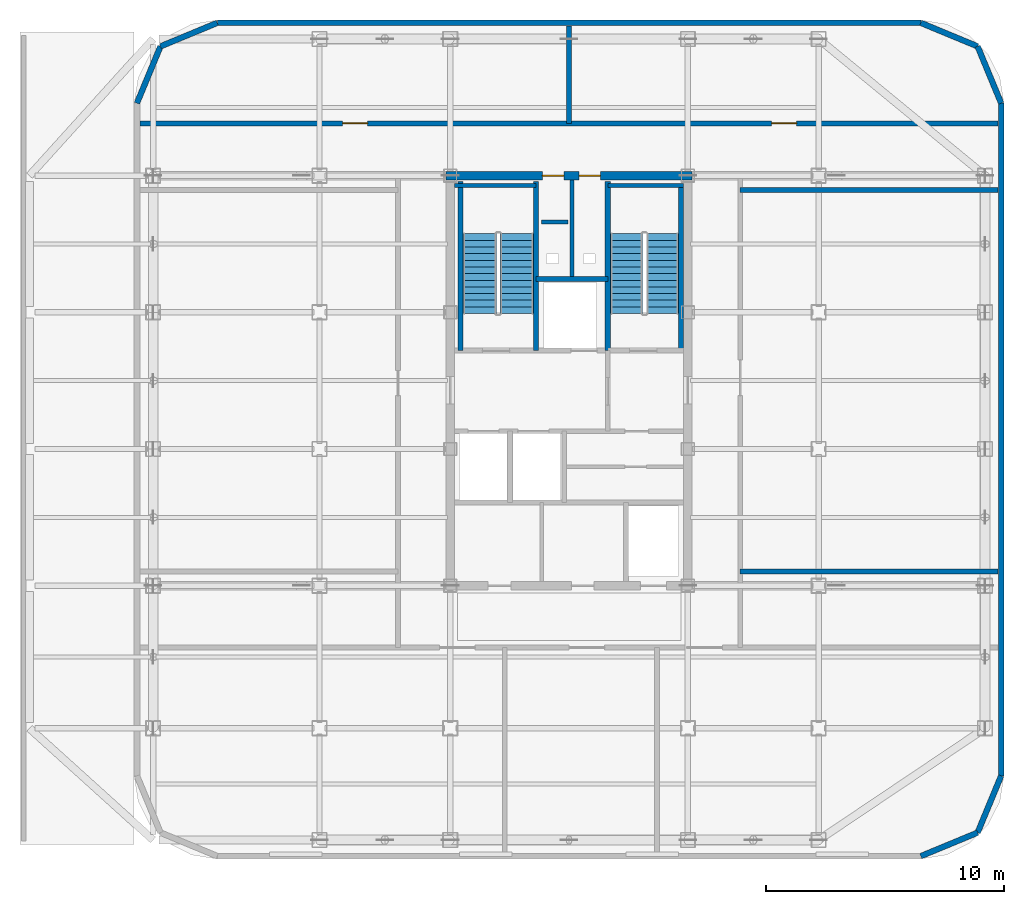
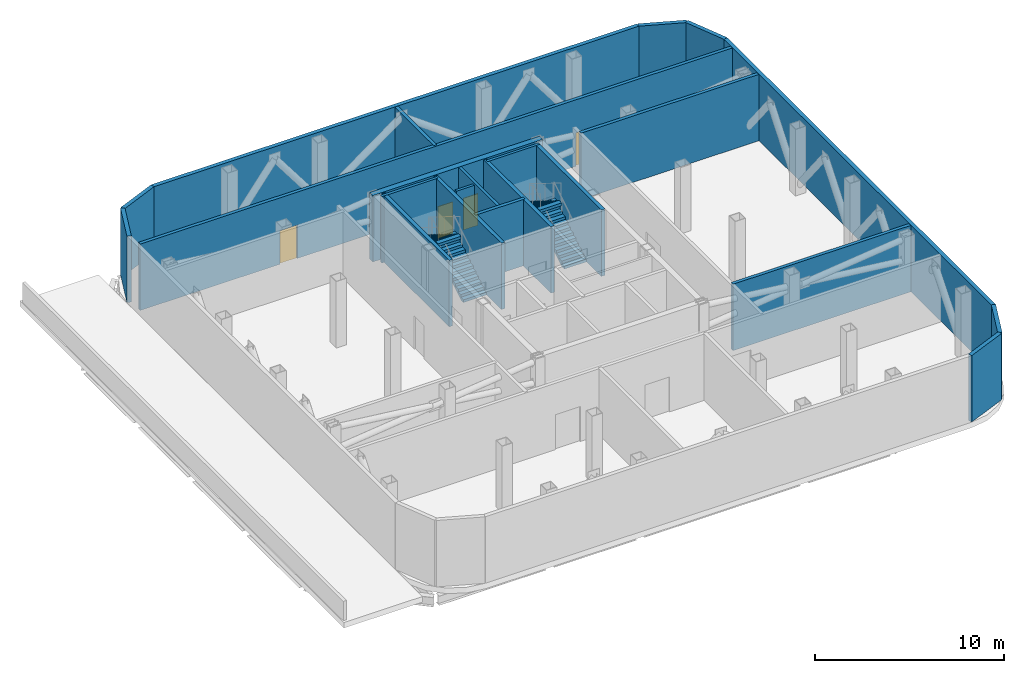
# One storey, part 6 of 7: 22 walls, 4 doors, 4 stair flights, 4 openings, 2 elements without a shape of their own.
"""IFC4 building model written with IfcOpenShell, lengths in metres."""

from ifc_helpers import new_model, si_unit, direction, frame, frame_2d, origin, place, context, subcontext, project, spatial, polyline, rectangle, outline, extrude, material, layer, layer_set, type_object, element, fill, aggregate, save


model = new_model("IFC4")

# Units and contexts
model_context = context("Model", 3, precision=1e-05, world=origin(), true_north=direction((0.0, 1.0)))
body_context = subcontext(model_context, "Body", "Model", "MODEL_VIEW")
ifc_project = project(units=[si_unit("LENGTHUNIT", "METRE"), si_unit("AREAUNIT", "SQUARE_METRE"), si_unit("VOLUMEUNIT", "CUBIC_METRE"), si_unit("PLANEANGLEUNIT", "RADIAN"), si_unit("MASSUNIT", "GRAM", prefix="KILO")], contexts=[model_context])

# Site, building, storey
site_placement = place(None, origin())
site = spatial("IfcSite", under=ifc_project, at=site_placement, CompositionType="ELEMENT")
building_placement = place(site_placement, origin())
building = spatial("IfcBuilding", under=site, at=building_placement, Name="Kolveth Station Tower", CompositionType="ELEMENT")
storey_placement = place(building_placement, frame((0.0, 0.0, 215.60009765625)))
storey = spatial("IfcBuildingStorey", under=building, at=storey_placement, Name="L61", CompositionType="ELEMENT", Elevation=215.60009765625)

# Wall, openings, doors
ifc_material_1 = material(Name="Concrete C50/60", Category="concrete")
ifc_layer_1 = layer(ifc_material_1, 0.35009765625)
ifc_layer_set_1 = layer_set([ifc_layer_1], Name="Concrete C50/60")
wall_type_1 = type_object("IfcWallType", Name="Wall_CW-350", PredefinedType="SHEAR", material=ifc_layer_set_1)
wall_1_placement = place(storey_placement, frame((18.324951171875, 28.75, 0.0), z_axis=(0.0, 0.0, 1.0), x_axis=(1.0, 0.0, 0.0)))
wall_1 = element("IfcWall", 1, at=wall_1_placement, inside=storey, type_object=wall_type_1, Name="L61 Core RC Shear Wall N", PredefinedType="SHEAR", context=body_context, shape_type="SweptSolid", body=[
    extrude(rectangle(XDim=10.35009765625, YDim=0.35009765625, at=frame_2d((5.175048828125, 0.0))), origin(), (0.0, 0.0, 1.0), 4.27978515625),
])
opening_1_placement = place(wall_1_placement, frame((4.054931640625, 0.0, 0.0)))
opening_1 = element("IfcOpeningElement", 2, at=opening_1_placement, cuts=wall_1, Name="Opening RD1", PredefinedType="OPENING", context=body_context, shape_type="SweptSolid", body=[
    extrude(rectangle(XDim=0.89990234375, YDim=2.050048828125, at=frame_2d((0.449951171875, 1.02490234375))), frame((0.0, 0.18505859375, 0.0), z_axis=(0.0, -1.0, 0.0), x_axis=(1.0, 0.0, 0.0)), (0.0, 0.0, 1.0), 0.3701171875),
])
opening_2_placement = place(wall_1_placement, frame((5.594970703125, 0.0, 0.0)))
opening_2 = element("IfcOpeningElement", 3, at=opening_2_placement, cuts=wall_1, Name="Opening RD1", PredefinedType="OPENING", context=body_context, shape_type="SweptSolid", body=[
    extrude(rectangle(XDim=0.89990234375, YDim=2.050048828125, at=frame_2d((0.449951171875, 1.02490234375))), frame((0.0, 0.18505859375, 0.0), z_axis=(0.0, -1.0, 0.0), x_axis=(1.0, 0.0, 0.0)), (0.0, 0.0, 1.0), 0.3701171875),
])
ifc_material_2 = material(Name="Fire-rated Steel S355 riser access leaf", Category="steel")
door_type_1 = type_object("IfcDoorType", Name="Door_RD1", OperationType="NOTDEFINED", PredefinedType="DOOR", material=ifc_material_2)
door_1_placement = place(opening_1_placement, origin())
door_1 = element("IfcDoor", 4, at=door_1_placement, inside=storey, type_object=door_type_1, Name="L61 Electrical Riser Access Door", OperationType="SINGLE_SWING_LEFT", OverallHeight=2.050048828125, OverallWidth=0.89990234375, PredefinedType="DOOR", context=body_context, shape_type="SweptSolid", body=[
    extrude(rectangle(XDim=0.89990234375, YDim=2.050048828125, at=frame_2d((0.449951171875, 1.02490234375))), frame((0.0, 0.02490234375, 0.0), z_axis=(0.0, -1.0, 0.0), x_axis=(1.0, 0.0, 0.0)), (0.0, 0.0, 1.0), 0.050048828125),
])
fill(opening_1, door_1)
door_2_placement = place(opening_2_placement, origin())
door_2 = element("IfcDoor", 5, at=door_2_placement, inside=storey, type_object=door_type_1, Name="L61 Smoke Duct Access Door", OperationType="SINGLE_SWING_LEFT", OverallHeight=2.050048828125, OverallWidth=0.89990234375, PredefinedType="DOOR", context=body_context, shape_type="SweptSolid", body=[
    extrude(rectangle(XDim=0.89990234375, YDim=2.050048828125, at=frame_2d((0.449951171875, 1.02490234375))), frame((0.0, 0.02490234375, 0.0), z_axis=(0.0, -1.0, 0.0), x_axis=(1.0, 0.0, 0.0)), (0.0, 0.0, 1.0), 0.050048828125),
])
fill(opening_2, door_2)

# Walls
ifc_material_3 = material(Name="Precast concrete C40/50", Category="concrete")
ifc_layer_2 = layer(ifc_material_3, 0.239990234375)
ifc_layer_set_2 = layer_set([ifc_layer_2], Name="Precast concrete C40/50")
wall_type_2 = type_object("IfcWallType", Name="Wall_EW-240", PredefinedType="SOLIDWALL", material=ifc_layer_set_2)
for number, where, z_axis, x_axis, name in (
    (6, (38.300048828125, 0.1201171875, 0.0), (0.0, 0.0, 1.0), (0.923870741917, 0.382704654048, 0.0), "L61 Plant Perimeter Spandrel Wall 1"),
    (7, (40.68994140625, 1.110107421875, 0.0), (0.0, 0.0, 1.0), (0.382704654048, 0.923870741917, 0.0), "L61 Plant Perimeter Spandrel Wall 2"),
):
    element("IfcWall", number, at=place(storey_placement, frame(where, z_axis=z_axis, x_axis=x_axis)), inside=storey, type_object=wall_type_2, Name=name, PredefinedType="SOLIDWALL", context=body_context, shape_type="SweptSolid", body=[
        extrude(rectangle(XDim=2.5869140625, YDim=0.239990234375, at=frame_2d((1.29345703125, 0.0))), origin(), (0.0, 0.0, 1.0), 4.27978515625),
    ])
wall_2_placement = place(storey_placement, frame((41.679931640625, 3.5, 0.0), z_axis=(0.0, 0.0, 1.0), x_axis=(0.0, 1.0, 0.0)))
element("IfcWall", 8, at=wall_2_placement, inside=storey, type_object=wall_type_2, Name="L61 Plant Perimeter Spandrel Wall 3", PredefinedType="SOLIDWALL", context=body_context, shape_type="SweptSolid", body=[
    extrude(rectangle(XDim=28.300048828125, YDim=0.239990234375, at=frame_2d((14.14990234375, 0.0))), origin(), (0.0, 0.0, 1.0), 4.27978515625),
])
for number, where, z_axis, x_axis, name in (
    (9, (41.679931640625, 31.800048828125, 0.0), (0.0, 0.0, 1.0), (-0.382704654048, 0.923870741917, 0.0), "L61 Plant Perimeter Spandrel Wall 4"),
    (10, (40.68994140625, 34.18994140625, 0.0), (0.0, 0.0, 1.0), (-0.923870741917, 0.382704654048, 0.0), "L61 Plant Perimeter Spandrel Wall 5"),
):
    element("IfcWall", number, at=place(storey_placement, frame(where, z_axis=z_axis, x_axis=x_axis)), inside=storey, type_object=wall_type_2, Name=name, PredefinedType="SOLIDWALL", context=body_context, shape_type="SweptSolid", body=[
        extrude(rectangle(XDim=2.5869140625, YDim=0.239990234375, at=frame_2d((1.29345703125, 0.0))), origin(), (0.0, 0.0, 1.0), 4.27978515625),
    ])
wall_3_placement = place(storey_placement, frame((38.300048828125, 35.179931640625, 0.0), z_axis=(0.0, 0.0, 1.0), x_axis=(-1.0, 0.0, 0.0)))
element("IfcWall", 11, at=wall_3_placement, inside=storey, type_object=wall_type_2, Name="L61 Plant Perimeter Spandrel Wall 6", PredefinedType="SOLIDWALL", context=body_context, shape_type="SweptSolid", body=[
    extrude(rectangle(XDim=29.60009765625, YDim=0.239990234375, at=frame_2d((14.800048828125, 0.0))), origin(), (0.0, 0.0, 1.0), 4.27978515625),
])
for number, where, z_axis, x_axis, name in (
    (12, (8.699951171875, 35.179931640625, 0.0), (0.0, 0.0, 1.0), (-0.923870741917, -0.382704654048, 0.0), "L61 Plant Perimeter Spandrel Wall 7"),
    (13, (6.31005859375, 34.18994140625, 0.0), (0.0, 0.0, 1.0), (-0.382704654048, -0.923870741917, 0.0), "L61 Plant Perimeter Spandrel Wall 8"),
):
    element("IfcWall", number, at=place(storey_placement, frame(where, z_axis=z_axis, x_axis=x_axis)), inside=storey, type_object=wall_type_2, Name=name, PredefinedType="SOLIDWALL", context=body_context, shape_type="SweptSolid", body=[
        extrude(rectangle(XDim=2.5869140625, YDim=0.239990234375, at=frame_2d((1.29345703125, 0.0))), origin(), (0.0, 0.0, 1.0), 4.27978515625),
    ])
ifc_material_4 = material(Name="Acoustic double-stud gypsum partition")
ifc_layer_3 = layer(ifc_material_4, 0.1650390625)
ifc_layer_set_3 = layer_set([ifc_layer_3], Name="Acoustic double-stud gypsum partition")
wall_type_3 = type_object("IfcWallType", Name="Wall_IW-165", PredefinedType="PARTITIONING", material=ifc_layer_set_3)
wall_4_placement = place(storey_placement, frame((18.68505859375, 28.3349609375, 0.0), z_axis=(0.0, 0.0, 1.0), x_axis=(1.0, 0.0, 0.0)))
element("IfcWall", 14, at=wall_4_placement, inside=storey, type_object=wall_type_3, Name="L61 Stair Shaft Wall WL-L61-ST1-N", PredefinedType="PARTITIONING", context=body_context, shape_type="SweptSolid", body=[
    extrude(rectangle(XDim=3.425048828125, YDim=0.1650390625, at=frame_2d((1.71240234375, 0.0))), origin(), (0.0, 0.0, 1.0), 4.27978515625),
])
wall_5_placement = place(storey_placement, frame((25.1298828125, 28.3349609375, 0.0), z_axis=(0.0, 0.0, 1.0), x_axis=(1.0, 0.0, 0.0)))
element("IfcWall", 15, at=wall_5_placement, inside=storey, type_object=wall_type_3, Name="L61 Stair Shaft Wall WL-L61-ST2-N", PredefinedType="PARTITIONING", context=body_context, shape_type="SweptSolid", body=[
    extrude(rectangle(XDim=3.18505859375, YDim=0.1650390625, at=frame_2d((1.592529296875, 0.0))), origin(), (0.0, 0.0, 1.0), 4.27978515625),
])
wall_6_placement = place(storey_placement, frame((23.6201171875, 24.39990234375, 0.0), z_axis=(0.0, 0.0, 1.0), x_axis=(0.0, 1.0, 0.0)))
element("IfcWall", 16, at=wall_6_placement, inside=storey, type_object=wall_type_3, Name="L61 Partition Wall WL-L61-RSR-M", PredefinedType="PARTITIONING", context=body_context, shape_type="SweptSolid", body=[
    extrude(rectangle(XDim=4.1650390625, YDim=0.1650390625, at=frame_2d((2.08251953125, 0.0))), origin(), (0.0, 0.0, 1.0), 4.27978515625),
])
wall_7_placement = place(storey_placement, frame((22.35009765625, 26.800048828125, 0.0), z_axis=(0.0, 0.0, 1.0), x_axis=(1.0, 0.0, 0.0)))
element("IfcWall", 17, at=wall_7_placement, inside=storey, type_object=wall_type_3, Name="L61 Acoustic Riser Dry-Lining Wall", PredefinedType="PARTITIONING", context=body_context, shape_type="SweptSolid", body=[
    extrude(rectangle(XDim=1.099853515625, YDim=0.1650390625, at=frame_2d((0.5498046875, 0.0))), origin(), (0.0, 0.0, 1.0), 4.27978515625),
])
ifc_material_5 = material(Name="Acoustic fire-rated gypsum blockwork", Category="masonry")
ifc_layer_4 = layer(ifc_material_5, 0.199951171875)
ifc_layer_set_4 = layer_set([ifc_layer_4], Name="Acoustic fire-rated gypsum blockwork")
wall_type_4 = type_object("IfcWallType", Name="Wall_IW-200", PredefinedType="PARTITIONING", material=ifc_layer_set_4)
wall_8_placement = place(storey_placement, frame((22.110107421875, 24.39990234375, 0.0), z_axis=(0.0, 0.0, 1.0), x_axis=(1.0, 0.0, 0.0)))
element("IfcWall", 18, at=wall_8_placement, inside=storey, type_object=wall_type_4, Name="L61 Partition Wall WL-L61-RSR-S", PredefinedType="PARTITIONING", context=body_context, shape_type="SweptSolid", body=[
    extrude(rectangle(XDim=3.019775390625, YDim=0.199951171875, at=frame_2d((1.509765625, 0.0))), origin(), (0.0, 0.0, 1.0), 4.27978515625),
])

# Wall, openings, doors
wall_9_placement = place(storey_placement, frame((5.449951171875, 30.949951171875, 0.0), z_axis=(0.0, 0.0, 1.0), x_axis=(1.0, 0.0, 0.0)))
wall_9 = element("IfcWall", 19, at=wall_9_placement, inside=storey, type_object=wall_type_4, Name="L61 Partition Wall WL-L61-PR-N", PredefinedType="PARTITIONING", context=body_context, shape_type="SweptSolid", body=[
    extrude(rectangle(XDim=36.10009765625, YDim=0.199951171875, at=frame_2d((18.050048828125, 0.0))), origin(), (0.0, 0.0, 1.0), 4.27978515625),
])
opening_3_placement = place(wall_9_placement, frame((8.52490234375, 0.0, 0.0)))
opening_3 = element("IfcOpeningElement", 20, at=opening_3_placement, cuts=wall_9, Name="Opening FD2", PredefinedType="OPENING", context=body_context, shape_type="SweptSolid", body=[
    extrude(rectangle(XDim=1.050048828125, YDim=2.14990234375, at=frame_2d((0.52490234375, 1.074951171875))), frame((0.0, 0.10986328125, 0.0), z_axis=(0.0, -1.0, 0.0), x_axis=(1.0, 0.0, 0.0)), (0.0, 0.0, 1.0), 0.219970703125),
])
opening_4_placement = place(wall_9_placement, frame((26.574951171875, 0.0, 0.0)))
opening_4 = element("IfcOpeningElement", 21, at=opening_4_placement, cuts=wall_9, Name="Opening FD2", PredefinedType="OPENING", context=body_context, shape_type="SweptSolid", body=[
    extrude(rectangle(XDim=1.050048828125, YDim=2.14990234375, at=frame_2d((0.52490234375, 1.074951171875))), frame((0.0, 0.10986328125, 0.0), z_axis=(0.0, -1.0, 0.0), x_axis=(1.0, 0.0, 0.0)), (0.0, 0.0, 1.0), 0.219970703125),
])
ifc_material_6 = material(Name="Fire-rated Steel S355 leaf and frame", Category="steel")
door_type_2 = type_object("IfcDoorType", Name="Door_FD2", OperationType="NOTDEFINED", PredefinedType="DOOR", material=ifc_material_6)
door_3_placement = place(opening_3_placement, origin())
door_3 = element("IfcDoor", 22, at=door_3_placement, inside=storey, type_object=door_type_2, Name="L61 Smoke Extract Fan Plant Room Door", OperationType="SINGLE_SWING_RIGHT", OverallHeight=2.14990234375, OverallWidth=1.050048828125, PredefinedType="DOOR", context=body_context, shape_type="SweptSolid", body=[
    extrude(rectangle(XDim=1.050048828125, YDim=2.14990234375, at=frame_2d((0.52490234375, 1.074951171875))), frame((0.0, 0.02490234375, 0.0), z_axis=(0.0, -1.0, 0.0), x_axis=(1.0, 0.0, 0.0)), (0.0, 0.0, 1.0), 0.050048828125),
])
fill(opening_3, door_3)
door_4_placement = place(opening_4_placement, origin())
door_4 = element("IfcDoor", 23, at=door_4_placement, inside=storey, type_object=door_type_2, Name="L61 Air Handling Plant Room Door", OperationType="SINGLE_SWING_LEFT", OverallHeight=2.14990234375, OverallWidth=1.050048828125, PredefinedType="DOOR", context=body_context, shape_type="SweptSolid", body=[
    extrude(rectangle(XDim=1.050048828125, YDim=2.14990234375, at=frame_2d((0.52490234375, 1.074951171875))), frame((0.0, 0.02490234375, 0.0), z_axis=(0.0, -1.0, 0.0), x_axis=(1.0, 0.0, 0.0)), (0.0, 0.0, 1.0), 0.050048828125),
])
fill(opening_4, door_4)

# Walls
wall_10_placement = place(storey_placement, frame((23.5, 30.949951171875, 0.0), z_axis=(0.0, 0.0, 1.0), x_axis=(0.0, 1.0, 0.0)))
element("IfcWall", 24, at=wall_10_placement, inside=storey, type_object=wall_type_4, Name="L61 Partition Wall WL-L61-PN-P1", PredefinedType="PARTITIONING", context=body_context, shape_type="SweptSolid", body=[
    extrude(rectangle(XDim=4.10009765625, YDim=0.199951171875, at=frame_2d((2.050048828125, 0.0))), origin(), (0.0, 0.0, 1.0), 4.27978515625),
])
for number, where, z_axis, x_axis, name in (
    (25, (30.699951171875, 12.10009765625, 0.0), (0.0, 0.0, 1.0), (1.0, 0.0, 0.0), "L61 Partition Wall WL-L61-OG-ES"),
    (26, (30.699951171875, 28.14990234375, 0.0), (0.0, 0.0, 1.0), (1.0, 0.0, 0.0), "L61 Partition Wall WL-L61-OG-EN"),
):
    element("IfcWall", number, at=place(storey_placement, frame(where, z_axis=z_axis, x_axis=x_axis)), inside=storey, type_object=wall_type_4, Name=name, PredefinedType="PARTITIONING", context=body_context, shape_type="SweptSolid", body=[
        extrude(rectangle(XDim=10.85009765625, YDim=0.199951171875, at=frame_2d((5.425048828125, 0.0))), origin(), (0.0, 0.0, 1.0), 4.27978515625),
    ])
ifc_material_7 = material(Name="Concrete C40/50", Category="concrete")
ifc_layer_5 = layer(ifc_material_7, 0.219970703125)
ifc_layer_set_5 = layer_set([ifc_layer_5], Name="Concrete C40/50")
wall_type_5 = type_object("IfcWallType", Name="Wall_IW-220", PredefinedType="SOLIDWALL", material=ifc_layer_set_5)
for number, where, z_axis, x_axis, name in (
    (27, (18.929931640625, 21.389892578125, 0.0), (0.0, 0.0, 1.0), (0.0, 1.0, 0.0), "L61 Stair Shaft Wall WL-L61-ST1-W"),
    (28, (22.110107421875, 21.389892578125, 0.0), (0.0, 0.0, 1.0), (0.0, 1.0, 0.0), "L61 Stair Shaft Wall WL-L61-ST1-E"),
    (29, (25.1298828125, 21.389892578125, 0.0), (0.0, 0.0, 1.0), (0.0, 1.0, 0.0), "L61 Stair Shaft Wall WL-L61-ST2-W"),
):
    element("IfcWall", number, at=place(storey_placement, frame(where, z_axis=z_axis, x_axis=x_axis)), inside=storey, type_object=wall_type_5, Name=name, PredefinedType="SOLIDWALL", context=body_context, shape_type="SweptSolid", body=[
        extrude(rectangle(XDim=7.110107421875, YDim=0.219970703125, at=frame_2d((3.55517578125, 0.0))), origin(), (0.0, 0.0, 1.0), 4.27978515625),
    ])
wall_11_placement = place(storey_placement, frame((28.2099609375, 21.389892578125, 0.0), z_axis=(0.0, 0.0, 1.0), x_axis=(0.0, 1.0, 0.0)))
element("IfcWall", 30, at=wall_11_placement, inside=storey, type_object=wall_type_5, Name="L61 Stair Shaft Wall WL-L61-ST2-E", PredefinedType="SOLIDWALL", context=body_context, shape_type="SweptSolid", body=[
    extrude(rectangle(XDim=6.945068359375, YDim=0.219970703125, at=frame_2d((3.47265625, 0.0))), origin(), (0.0, 0.0, 1.0), 4.27978515625),
])

# Stair, stair flights
stair_type_1 = type_object("IfcStairType", Name="Stair_ST1", PredefinedType="HALF_TURN_STAIR", material=ifc_material_7)
stair_1_placement = place(storey_placement, origin())
stair_1 = element("IfcStair", 31, at=stair_1_placement, inside=storey, type_object=stair_type_1, Name="L61 Tower Exit Stair ST1", PredefinedType="HALF_TURN_STAIR")
ifc_layer_6 = layer(ifc_material_7, 0.179931640625)
ifc_layer_set_6 = layer_set([ifc_layer_6], Name="Concrete C40/50")
stair_flight_type_1 = type_object("IfcStairFlightType", Name="Flight_ST1", PredefinedType="STRAIGHT", material=ifc_layer_set_6)
stair_flight_1_placement = place(storey_placement, frame((21.300048828125, 22.949951171875, 0.0), z_axis=(0.0, 0.0, 1.0), x_axis=(0.0, 1.0, 0.0)))
stair_flight_1 = element("IfcStairFlight", 32, at=stair_flight_1_placement, type_object=stair_flight_type_1, Name="ST1 flight 1", NumberOfRisers=13, NumberOfTreads=12, PredefinedType="STRAIGHT", RiserHeight=0.173076923, TreadLength=0.28, context=body_context, shape_type="SweptSolid", body=[
    extrude(outline(polyline([(0.0, 0.0), (0.0, 0.173095703125), (0.280029296875, 0.173095703125), (0.280029296875, 0.34619140625), (0.56005859375, 0.34619140625), (0.56005859375, 0.519287109375), (0.840087890625, 0.519287109375), (0.840087890625, 0.6923828125), (1.1201171875, 0.6923828125), (1.1201171875, 0.865478515625), (1.39990234375, 0.865478515625), (1.39990234375, 1.03857421875), (1.679931640625, 1.03857421875), (1.679931640625, 1.21142578125), (1.9599609375, 1.21142578125), (1.9599609375, 1.384521484375), (2.239990234375, 1.384521484375), (2.239990234375, 1.5576171875), (2.52001953125, 1.5576171875), (2.52001953125, 1.730712890625), (2.800048828125, 1.730712890625), (2.800048828125, 1.90380859375), (3.080078125, 1.90380859375), (3.080078125, 2.076904296875), (3.360107421875, 2.076904296875), (3.360107421875, 2.25), (3.360107421875, 1.900634765625), (0.28515625, 0.0), (0.0, 0.0)])), frame((0.0, 0.699951171875, 0.0), z_axis=(0.0, -1.0, 0.0), x_axis=(1.0, 0.0, 0.0)), (0.0, 0.0, 1.0), 1.39990234375),
])
stair_flight_2_placement = place(storey_placement, frame((19.739990234375, 26.31005859375, 2.25), z_axis=(0.0, 0.0, 1.0), x_axis=(0.0, -1.0, 0.0)))
stair_flight_2 = element("IfcStairFlight", 33, at=stair_flight_2_placement, type_object=stair_flight_type_1, Name="ST1 flight 2", NumberOfRisers=13, NumberOfTreads=12, PredefinedType="STRAIGHT", RiserHeight=0.173076923, TreadLength=0.28, context=body_context, shape_type="SweptSolid", body=[
    extrude(outline(polyline([(0.0, 0.0), (0.0, 0.173095703125), (0.280029296875, 0.173095703125), (0.280029296875, 0.34619140625), (0.56005859375, 0.34619140625), (0.56005859375, 0.519287109375), (0.840087890625, 0.519287109375), (0.840087890625, 0.6923828125), (1.1201171875, 0.6923828125), (1.1201171875, 0.865478515625), (1.39990234375, 0.865478515625), (1.39990234375, 1.03857421875), (1.679931640625, 1.03857421875), (1.679931640625, 1.21142578125), (1.9599609375, 1.21142578125), (1.9599609375, 1.384521484375), (2.239990234375, 1.384521484375), (2.239990234375, 1.5576171875), (2.52001953125, 1.5576171875), (2.52001953125, 1.730712890625), (2.800048828125, 1.730712890625), (2.800048828125, 1.90380859375), (3.080078125, 1.90380859375), (3.080078125, 2.076904296875), (3.360107421875, 2.076904296875), (3.360107421875, 2.25), (3.360107421875, 1.900634765625), (0.28515625, 0.0), (0.0, 0.0)])), frame((0.0, 0.699951171875, 0.0), z_axis=(0.0, -1.0, 0.0), x_axis=(1.0, 0.0, 0.0)), (0.0, 0.0, 1.0), 1.39990234375),
])
aggregate(stair_1, [stair_flight_1, stair_flight_2])

stair_type_2 = type_object("IfcStairType", Name="Stair_ST2", PredefinedType="HALF_TURN_STAIR", material=ifc_material_7)
stair_2_placement = place(storey_placement, origin())
stair_2 = element("IfcStair", 34, at=stair_2_placement, inside=storey, type_object=stair_type_2, Name="L61 Tower Exit Stair ST2", PredefinedType="HALF_TURN_STAIR")
ifc_layer_7 = layer(ifc_material_7, 0.179931640625)
ifc_layer_set_7 = layer_set([ifc_layer_7], Name="Concrete C40/50")
stair_flight_type_2 = type_object("IfcStairFlightType", Name="Flight_ST2", PredefinedType="STRAIGHT", material=ifc_layer_set_7)
stair_flight_3_placement = place(storey_placement, frame((27.425048828125, 22.949951171875, 0.0), z_axis=(0.0, 0.0, 1.0), x_axis=(0.0, 1.0, 0.0)))
stair_flight_3 = element("IfcStairFlight", 35, at=stair_flight_3_placement, type_object=stair_flight_type_2, Name="ST2 flight 1", NumberOfRisers=13, NumberOfTreads=12, PredefinedType="STRAIGHT", RiserHeight=0.173076923, TreadLength=0.28, context=body_context, shape_type="SweptSolid", body=[
    extrude(outline(polyline([(0.0, 0.0), (0.0, 0.173095703125), (0.280029296875, 0.173095703125), (0.280029296875, 0.34619140625), (0.56005859375, 0.34619140625), (0.56005859375, 0.519287109375), (0.840087890625, 0.519287109375), (0.840087890625, 0.6923828125), (1.1201171875, 0.6923828125), (1.1201171875, 0.865478515625), (1.39990234375, 0.865478515625), (1.39990234375, 1.03857421875), (1.679931640625, 1.03857421875), (1.679931640625, 1.21142578125), (1.9599609375, 1.21142578125), (1.9599609375, 1.384521484375), (2.239990234375, 1.384521484375), (2.239990234375, 1.5576171875), (2.52001953125, 1.5576171875), (2.52001953125, 1.730712890625), (2.800048828125, 1.730712890625), (2.800048828125, 1.90380859375), (3.080078125, 1.90380859375), (3.080078125, 2.076904296875), (3.360107421875, 2.076904296875), (3.360107421875, 2.25), (3.360107421875, 1.900634765625), (0.28515625, 0.0), (0.0, 0.0)])), frame((0.0, 0.675048828125, 0.0), z_axis=(0.0, -1.0, 0.0), x_axis=(1.0, 0.0, 0.0)), (0.0, 0.0, 1.0), 1.35009765625),
])
stair_flight_4_placement = place(storey_placement, frame((25.9150390625, 26.31005859375, 2.25), z_axis=(0.0, 0.0, 1.0), x_axis=(0.0, -1.0, 0.0)))
stair_flight_4 = element("IfcStairFlight", 36, at=stair_flight_4_placement, type_object=stair_flight_type_2, Name="ST2 flight 2", NumberOfRisers=13, NumberOfTreads=12, PredefinedType="STRAIGHT", RiserHeight=0.173076923, TreadLength=0.28, context=body_context, shape_type="SweptSolid", body=[
    extrude(outline(polyline([(0.0, 0.0), (0.0, 0.173095703125), (0.280029296875, 0.173095703125), (0.280029296875, 0.34619140625), (0.56005859375, 0.34619140625), (0.56005859375, 0.519287109375), (0.840087890625, 0.519287109375), (0.840087890625, 0.6923828125), (1.1201171875, 0.6923828125), (1.1201171875, 0.865478515625), (1.39990234375, 0.865478515625), (1.39990234375, 1.03857421875), (1.679931640625, 1.03857421875), (1.679931640625, 1.21142578125), (1.9599609375, 1.21142578125), (1.9599609375, 1.384521484375), (2.239990234375, 1.384521484375), (2.239990234375, 1.5576171875), (2.52001953125, 1.5576171875), (2.52001953125, 1.730712890625), (2.800048828125, 1.730712890625), (2.800048828125, 1.90380859375), (3.080078125, 1.90380859375), (3.080078125, 2.076904296875), (3.360107421875, 2.076904296875), (3.360107421875, 2.25), (3.360107421875, 1.900634765625), (0.28515625, 0.0), (0.0, 0.0)])), frame((0.0, 0.675048828125, 0.0), z_axis=(0.0, -1.0, 0.0), x_axis=(1.0, 0.0, 0.0)), (0.0, 0.0, 1.0), 1.35009765625),
])
aggregate(stair_2, [stair_flight_3, stair_flight_4])

save(model, "model.ifc")
